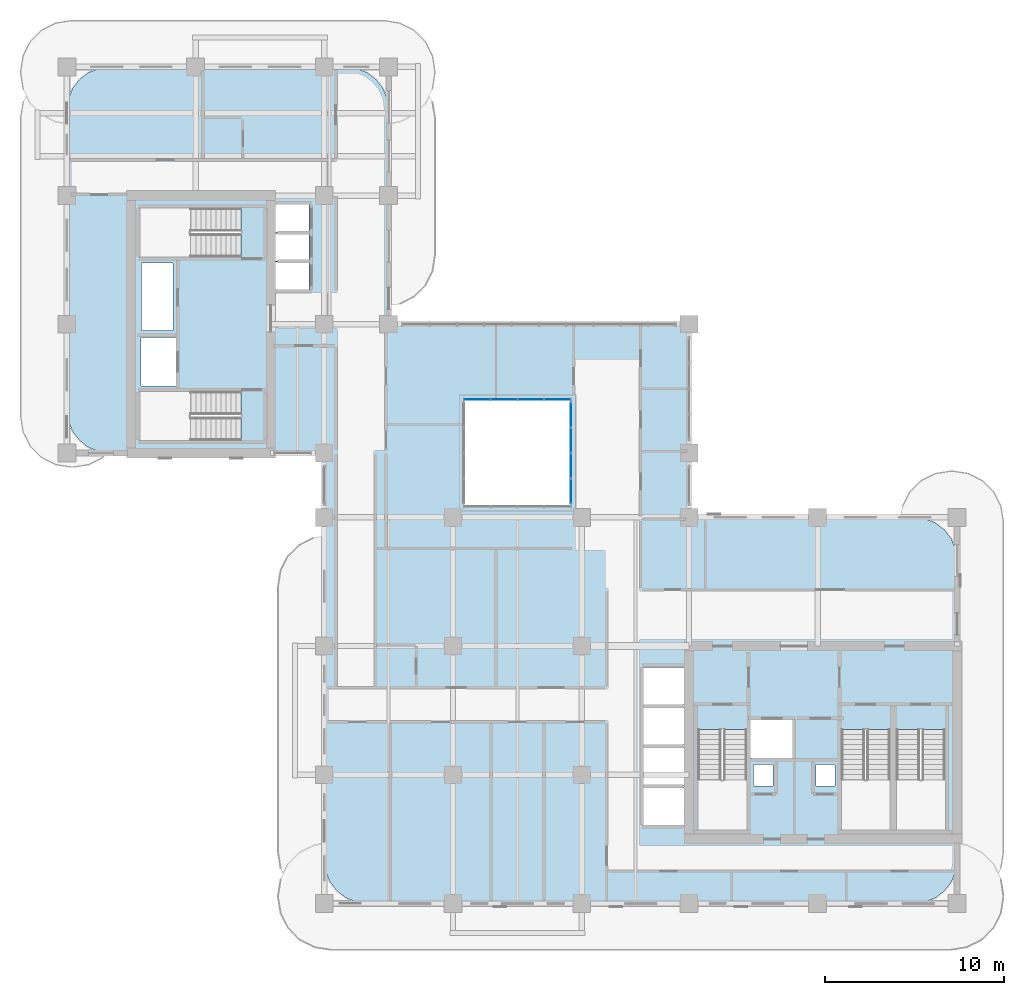
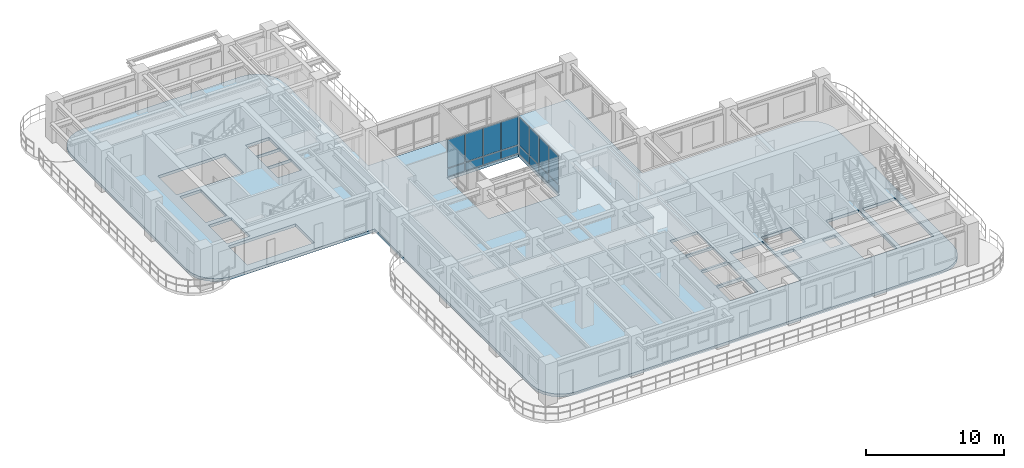
# One storey, part 8 of 20: 16 plates, 1 slab, 2 elements without a shape of their own.
"""IFC4 building model written with IfcOpenShell, lengths in metres."""

from ifc_helpers import new_model, si_unit, derived_unit, direction, frame, origin, origin_2d, place, context, subcontext, project, spatial, polyline, rectangle, outline, extrude, source, transform, mapped, material, layer, layer_set, type_object, element, aggregate, save


model = new_model("IFC4")

# Units and contexts
model_context = context("Model", 3, precision=1e-05, world=origin(), true_north=direction((0.0, 1.0)))
body_context = subcontext(model_context, "Body", "Model", "MODEL_VIEW")
ifc_project = project(units=[si_unit("LENGTHUNIT", "METRE"), si_unit("AREAUNIT", "SQUARE_METRE"), si_unit("VOLUMEUNIT", "CUBIC_METRE"), si_unit("PLANEANGLEUNIT", "RADIAN"), si_unit("MASSUNIT", "GRAM", prefix="KILO"), si_unit("THERMODYNAMICTEMPERATUREUNIT", "KELVIN"), si_unit("POWERUNIT", "WATT"), derived_unit("THERMALTRANSMITTANCEUNIT", [(si_unit("POWERUNIT", "WATT"), 1), (si_unit("AREAUNIT", "SQUARE_METRE"), -1), (si_unit("THERMODYNAMICTEMPERATUREUNIT", "KELVIN"), -1)])], contexts=[model_context])

# Site, building, storey
site_placement = place(None, origin())
site = spatial("IfcSite", under=ifc_project, at=site_placement, CompositionType="ELEMENT")
building_placement = place(site_placement, origin())
building = spatial("IfcBuilding", under=site, at=building_placement, Name="Zahravan Archway Hotel and Residences", CompositionType="ELEMENT")
storey_placement = place(building_placement, frame((0.0, 0.0, 137.699951171875)))
storey = spatial("IfcBuildingStorey", under=building, at=storey_placement, Name="L34", CompositionType="ELEMENT", Elevation=137.699951171875)

# Slab
ifc_material_1 = material(Name="Concrete C45/55", Category="concrete")
ifc_layer_1 = layer(ifc_material_1, 0.25, Name="Concrete C45/55", Category="concrete")
ifc_layer_set_1 = layer_set([ifc_layer_1], Name="Concrete C45/55")
slab_type = type_object("IfcSlabType", Name="SLB-FLR-250", PredefinedType="FLOOR", material=ifc_layer_set_1)
slab_placement = place(storey_placement, frame((0.0, 0.0, -0.25)))
element("IfcSlab", 1, at=slab_placement, inside=storey, type_object=slab_type, Name="L34 Floor Slab LB", PredefinedType="FLOOR", context=body_context, shape_type="SweptSolid", body=[
    extrude(outline(polyline([(34.800048828125, 21.60009765625), (34.800048828125, 32.39990234375), (18.0, 32.39990234375), (18.0, 44.39990234375), (17.918212890625, 45.021240234375), (17.678466796875, 45.60009765625), (17.297119140625, 46.09716796875), (16.800048828125, 46.478515625), (16.22119140625, 46.71826171875), (15.60009765625, 46.800048828125), (2.39990234375, 46.800048828125), (1.77880859375, 46.71826171875), (1.199951171875, 46.478515625), (0.702880859375, 46.09716796875), (0.321533203125, 45.60009765625), (0.081787109375, 45.021240234375), (0.0, 44.39990234375), (0.0, 27.60009765625), (0.081787109375, 26.978759765625), (0.321533203125, 26.39990234375), (0.702880859375, 25.90283203125), (1.199951171875, 25.521484375), (1.77880859375, 25.28173828125), (2.39990234375, 25.199951171875), (14.39990234375, 25.199951171875), (14.39990234375, 19.199951171875), (14.39990234375, 19.10009765625), (14.39990234375, 2.39990234375), (14.481689453125, 1.77880859375), (14.721435546875, 1.199951171875), (15.102783203125, 0.702880859375), (15.60009765625, 0.321533203125), (16.1787109375, 0.081787109375), (16.800048828125, 0.0), (47.39990234375, 0.0), (48.021240234375, 0.081787109375), (48.60009765625, 0.321533203125), (49.09716796875, 0.702880859375), (49.478515625, 1.199951171875), (49.71826171875, 1.77880859375), (49.800048828125, 2.39990234375), (49.800048828125, 19.199951171875), (49.71826171875, 19.8212890625), (49.478515625, 20.39990234375), (49.09716796875, 20.897216796875), (48.60009765625, 21.278564453125), (48.021240234375, 21.518310546875), (47.39990234375, 21.60009765625), (34.800048828125, 21.60009765625)]), holes=[polyline([(35.300048828125, 9.72998046875), (35.300048828125, 4.10009765625), (38.0400390625, 4.10009765625), (38.0400390625, 9.72998046875), (35.300048828125, 9.72998046875)]), polyline([(43.320068359375, 9.72998046875), (43.320068359375, 4.10009765625), (46.06005859375, 4.10009765625), (46.06005859375, 9.72998046875), (43.320068359375, 9.72998046875)]), polyline([(46.39990234375, 9.72998046875), (46.39990234375, 4.10009765625), (49.139892578125, 4.10009765625), (49.139892578125, 9.72998046875), (46.39990234375, 9.72998046875)]), polyline([(9.72998046875, 28.639892578125), (4.10009765625, 28.639892578125), (4.10009765625, 25.89990234375), (9.72998046875, 25.89990234375), (9.72998046875, 28.639892578125)]), polyline([(9.72998046875, 38.89990234375), (4.10009765625, 38.89990234375), (4.10009765625, 36.159912109375), (9.72998046875, 36.159912109375), (9.72998046875, 38.89990234375)]), polyline([(38.179931640625, 8.14990234375), (40.699951171875, 8.14990234375), (40.699951171875, 10.25), (38.179931640625, 10.25), (38.179931640625, 8.14990234375)]), polyline([(4.14990234375, 28.949951171875), (6.10009765625, 28.949951171875), (6.10009765625, 31.64990234375), (4.14990234375, 31.64990234375), (4.14990234375, 28.949951171875)]), polyline([(11.550048828125, 34.35009765625), (13.550048828125, 34.35009765625), (13.550048828125, 35.889892578125), (11.550048828125, 35.889892578125), (11.550048828125, 34.35009765625)]), polyline([(11.550048828125, 35.949951171875), (13.550048828125, 35.949951171875), (13.550048828125, 37.489990234375), (11.550048828125, 37.489990234375), (11.550048828125, 35.949951171875)]), polyline([(11.550048828125, 37.550048828125), (13.550048828125, 37.550048828125), (13.550048828125, 39.090087890625), (11.550048828125, 39.090087890625), (11.550048828125, 37.550048828125)]), polyline([(32.25, 4.39990234375), (34.550048828125, 4.39990234375), (34.550048828125, 6.47998046875), (32.25, 6.47998046875), (32.25, 4.39990234375)]), polyline([(32.25, 6.639892578125), (34.550048828125, 6.639892578125), (34.550048828125, 8.719970703125), (32.25, 8.719970703125), (32.25, 6.639892578125)]), polyline([(32.25, 8.8798828125), (34.550048828125, 8.8798828125), (34.550048828125, 10.9599609375), (32.25, 10.9599609375), (32.25, 8.8798828125)]), polyline([(32.25, 11.1201171875), (34.550048828125, 11.1201171875), (34.550048828125, 13.199951171875), (32.25, 13.199951171875), (32.25, 11.1201171875)]), polyline([(22.199951171875, 22.199951171875), (28.199951171875, 22.199951171875), (28.199951171875, 28.199951171875), (22.199951171875, 28.199951171875), (22.199951171875, 22.199951171875)]), polyline([(38.419921875, 6.56005859375), (39.5, 6.56005859375), (39.5, 7.780029296875), (38.419921875, 7.780029296875), (38.419921875, 6.56005859375)]), polyline([(41.89990234375, 6.56005859375), (42.9599609375, 6.56005859375), (42.9599609375, 7.780029296875), (41.89990234375, 7.780029296875), (41.89990234375, 6.56005859375)]), polyline([(4.179931640625, 32.050048828125), (5.93994140625, 32.050048828125), (5.93994140625, 35.840087890625), (4.179931640625, 35.840087890625), (4.179931640625, 32.050048828125)])]), origin(), (0.0, 0.0, 1.0), 0.25),
])

# Curtain wall, plates
ifc_material_2 = material(Name="Bronze-Anodized Unitised Aluminium & Low-E Glass", Category="aluminium")
ifc_layer_2 = layer(ifc_material_2, 0.179931640625, Name="Bronze-Anodized Unitised Aluminium & Low-E Glass", Category="aluminium")
ifc_layer_set_2 = layer_set([ifc_layer_2], Name="Bronze-Anodized Unitised Aluminium & Low-E Glass")
curtain_wall_type = type_object("IfcCurtainWallType", Name="CW-ATR-GLAZ", PredefinedType="NOTDEFINED", material=ifc_layer_set_2)
curtain_wall_1_placement = place(storey_placement, origin())
curtain_wall_1 = element("IfcCurtainWall", 2, at=curtain_wall_1_placement, inside=storey, type_object=curtain_wall_type, Name="L34 Curtain Wall CW-ATR-L34-N-1", PredefinedType="NOTDEFINED")
ifc_material_3 = material(Name="Insulated Terracotta Spandrel Panel", Category="masonry")
ifc_layer_3 = layer(ifc_material_3, 0.0400390625, Name="Insulated Terracotta Spandrel Panel", Category="masonry")
ifc_layer_set_3 = layer_set([ifc_layer_3], Name="Insulated Terracotta Spandrel Panel")
plate_type_1 = type_object("IfcPlateType", Name="CWP-SPN-40", PredefinedType="SHEET", material=ifc_layer_set_3)
shared_shape_1 = source(origin(), body_context, "Body", "SweptSolid", [
    extrude(rectangle(XDim=1.419921875, YDim=0.0400390625, at=origin_2d()), origin(), (0.0, 0.0, 1.0), 0.68798828125),
])
plate_1_placement = place(storey_placement, frame((22.949951171875, 28.199951171875, 0.10009765625), z_axis=(0.0, 0.0, 1.0), x_axis=(1.0, 0.0, 0.0)))
plate_1 = element("IfcPlate", 3, at=plate_1_placement, type_object=plate_type_1, Name="CW-ATR-L34-N-1 Spandrel Panel 0", PredefinedType="SHEET", context=body_context, shape_type="MappedRepresentation", body=[
    mapped(shared_shape_1, transform((0.0, 0.0, 0.0), scale=1.0)),
])
plate_2_placement = place(storey_placement, frame((24.449951171875, 28.199951171875, 0.10009765625), z_axis=(0.0, 0.0, 1.0), x_axis=(1.0, 0.0, 0.0)))
plate_2 = element("IfcPlate", 4, at=plate_2_placement, type_object=plate_type_1, Name="CW-ATR-L34-N-1 Spandrel Panel 1", PredefinedType="SHEET", context=body_context, shape_type="MappedRepresentation", body=[
    mapped(shared_shape_1, transform((0.0, 0.0, 0.0), scale=1.0)),
])
plate_3_placement = place(storey_placement, frame((25.949951171875, 28.199951171875, 0.10009765625), z_axis=(0.0, 0.0, 1.0), x_axis=(1.0, 0.0, 0.0)))
plate_3 = element("IfcPlate", 5, at=plate_3_placement, type_object=plate_type_1, Name="CW-ATR-L34-N-1 Spandrel Panel 2", PredefinedType="SHEET", context=body_context, shape_type="MappedRepresentation", body=[
    mapped(shared_shape_1, transform((0.0, 0.0, 0.0), scale=1.0)),
])
plate_4_placement = place(storey_placement, frame((27.449951171875, 28.199951171875, 0.10009765625), z_axis=(0.0, 0.0, 1.0), x_axis=(1.0, 0.0, 0.0)))
plate_4 = element("IfcPlate", 6, at=plate_4_placement, type_object=plate_type_1, Name="CW-ATR-L34-N-1 Spandrel Panel 3", PredefinedType="SHEET", context=body_context, shape_type="MappedRepresentation", body=[
    mapped(shared_shape_1, transform((0.0, 0.0, 0.0), scale=1.0)),
])
ifc_material_4 = material(Name="Double-Silver Low-E Insulated Vision Glass", Category="glass")
ifc_layer_4 = layer(ifc_material_4, 0.028076171875, Name="Double-Silver Low-E Insulated Vision Glass", Category="glass")
ifc_layer_set_4 = layer_set([ifc_layer_4], Name="Double-Silver Low-E Insulated Vision Glass")
plate_type_2 = type_object("IfcPlateType", Name="CWP-GLZ-28", PredefinedType="CURTAIN_PANEL", material=ifc_layer_set_4)
shared_shape_2 = source(origin(), body_context, "Body", "SweptSolid", [
    extrude(rectangle(XDim=1.419921875, YDim=0.028076171875, at=origin_2d()), origin(), (0.0, 0.0, 1.0), 2.48193359375),
])
plate_5_placement = place(storey_placement, frame((22.949951171875, 28.199951171875, 0.8681640625), z_axis=(0.0, 0.0, 1.0), x_axis=(1.0, 0.0, 0.0)))
plate_5 = element("IfcPlate", 7, at=plate_5_placement, type_object=plate_type_2, Name="CW-ATR-L34-N-1 Low-E Vision Panel 0", PredefinedType="CURTAIN_PANEL", context=body_context, shape_type="MappedRepresentation", body=[
    mapped(shared_shape_2, transform((0.0, 0.0, 0.0), scale=1.0)),
])
plate_6_placement = place(storey_placement, frame((24.449951171875, 28.199951171875, 0.8681640625), z_axis=(0.0, 0.0, 1.0), x_axis=(1.0, 0.0, 0.0)))
plate_6 = element("IfcPlate", 8, at=plate_6_placement, type_object=plate_type_2, Name="CW-ATR-L34-N-1 Low-E Vision Panel 1", PredefinedType="CURTAIN_PANEL", context=body_context, shape_type="MappedRepresentation", body=[
    mapped(shared_shape_2, transform((0.0, 0.0, 0.0), scale=1.0)),
])
plate_7_placement = place(storey_placement, frame((25.949951171875, 28.199951171875, 0.8681640625), z_axis=(0.0, 0.0, 1.0), x_axis=(1.0, 0.0, 0.0)))
plate_7 = element("IfcPlate", 9, at=plate_7_placement, type_object=plate_type_2, Name="CW-ATR-L34-N-1 Low-E Vision Panel 2", PredefinedType="CURTAIN_PANEL", context=body_context, shape_type="MappedRepresentation", body=[
    mapped(shared_shape_2, transform((0.0, 0.0, 0.0), scale=1.0)),
])
plate_8_placement = place(storey_placement, frame((27.449951171875, 28.199951171875, 0.8681640625), z_axis=(0.0, 0.0, 1.0), x_axis=(1.0, 0.0, 0.0)))
plate_8 = element("IfcPlate", 10, at=plate_8_placement, type_object=plate_type_2, Name="CW-ATR-L34-N-1 Low-E Vision Panel 3", PredefinedType="CURTAIN_PANEL", context=body_context, shape_type="MappedRepresentation", body=[
    mapped(shared_shape_2, transform((0.0, 0.0, 0.0), scale=1.0)),
])
aggregate(curtain_wall_1, [plate_1, plate_5, plate_2, plate_6, plate_3, plate_7, plate_4, plate_8])

curtain_wall_2_placement = place(storey_placement, origin())
curtain_wall_2 = element("IfcCurtainWall", 11, at=curtain_wall_2_placement, inside=storey, type_object=curtain_wall_type, Name="L34 Curtain Wall CW-ATR-L34-E-1", PredefinedType="NOTDEFINED")
shared_shape_3 = source(origin(), body_context, "Body", "SweptSolid", [
    extrude(rectangle(XDim=1.344970703125, YDim=0.0400390625, at=origin_2d()), origin(), (0.0, 0.0, 1.0), 0.68798828125),
])
plate_9_placement = place(storey_placement, frame((28.199951171875, 23.0625, 0.10009765625), z_axis=(0.0, 0.0, 1.0), x_axis=(0.0, 1.0, 0.0)))
plate_9 = element("IfcPlate", 12, at=plate_9_placement, type_object=plate_type_1, Name="CW-ATR-L34-E-1 Spandrel Panel 0", PredefinedType="SHEET", context=body_context, shape_type="MappedRepresentation", body=[
    mapped(shared_shape_3, transform((0.0, 0.0, 0.0), scale=1.0)),
])
plate_10_placement = place(storey_placement, frame((28.199951171875, 24.487548828125, 0.10009765625), z_axis=(0.0, 0.0, 1.0), x_axis=(0.0, 1.0, 0.0)))
plate_10 = element("IfcPlate", 13, at=plate_10_placement, type_object=plate_type_1, Name="CW-ATR-L34-E-1 Spandrel Panel 1", PredefinedType="SHEET", context=body_context, shape_type="MappedRepresentation", body=[
    mapped(shared_shape_3, transform((0.0, 0.0, 0.0), scale=1.0)),
])
plate_11_placement = place(storey_placement, frame((28.199951171875, 25.91259765625, 0.10009765625), z_axis=(0.0, 0.0, 1.0), x_axis=(0.0, 1.0, 0.0)))
plate_11 = element("IfcPlate", 14, at=plate_11_placement, type_object=plate_type_1, Name="CW-ATR-L34-E-1 Spandrel Panel 2", PredefinedType="SHEET", context=body_context, shape_type="MappedRepresentation", body=[
    mapped(shared_shape_3, transform((0.0, 0.0, 0.0), scale=1.0)),
])
plate_12_placement = place(storey_placement, frame((28.199951171875, 27.33740234375, 0.10009765625), z_axis=(0.0, 0.0, 1.0), x_axis=(0.0, 1.0, 0.0)))
plate_12 = element("IfcPlate", 15, at=plate_12_placement, type_object=plate_type_1, Name="CW-ATR-L34-E-1 Spandrel Panel 3", PredefinedType="SHEET", context=body_context, shape_type="MappedRepresentation", body=[
    mapped(shared_shape_3, transform((0.0, 0.0, 0.0), scale=1.0)),
])
shared_shape_4 = source(origin(), body_context, "Body", "SweptSolid", [
    extrude(rectangle(XDim=1.344970703125, YDim=0.028076171875, at=origin_2d()), origin(), (0.0, 0.0, 1.0), 2.48193359375),
])
plate_13_placement = place(storey_placement, frame((28.199951171875, 23.0625, 0.8681640625), z_axis=(0.0, 0.0, 1.0), x_axis=(0.0, 1.0, 0.0)))
plate_13 = element("IfcPlate", 16, at=plate_13_placement, type_object=plate_type_2, Name="CW-ATR-L34-E-1 Low-E Vision Panel 0", PredefinedType="CURTAIN_PANEL", context=body_context, shape_type="MappedRepresentation", body=[
    mapped(shared_shape_4, transform((0.0, 0.0, 0.0), scale=1.0)),
])
plate_14_placement = place(storey_placement, frame((28.199951171875, 24.487548828125, 0.8681640625), z_axis=(0.0, 0.0, 1.0), x_axis=(0.0, 1.0, 0.0)))
plate_14 = element("IfcPlate", 17, at=plate_14_placement, type_object=plate_type_2, Name="CW-ATR-L34-E-1 Low-E Vision Panel 1", PredefinedType="CURTAIN_PANEL", context=body_context, shape_type="MappedRepresentation", body=[
    mapped(shared_shape_4, transform((0.0, 0.0, 0.0), scale=1.0)),
])
plate_15_placement = place(storey_placement, frame((28.199951171875, 25.91259765625, 0.8681640625), z_axis=(0.0, 0.0, 1.0), x_axis=(0.0, 1.0, 0.0)))
plate_15 = element("IfcPlate", 18, at=plate_15_placement, type_object=plate_type_2, Name="CW-ATR-L34-E-1 Low-E Vision Panel 2", PredefinedType="CURTAIN_PANEL", context=body_context, shape_type="MappedRepresentation", body=[
    mapped(shared_shape_4, transform((0.0, 0.0, 0.0), scale=1.0)),
])
plate_16_placement = place(storey_placement, frame((28.199951171875, 27.33740234375, 0.8681640625), z_axis=(0.0, 0.0, 1.0), x_axis=(0.0, 1.0, 0.0)))
plate_16 = element("IfcPlate", 19, at=plate_16_placement, type_object=plate_type_2, Name="CW-ATR-L34-E-1 Low-E Vision Panel 3", PredefinedType="CURTAIN_PANEL", context=body_context, shape_type="MappedRepresentation", body=[
    mapped(shared_shape_4, transform((0.0, 0.0, 0.0), scale=1.0)),
])
aggregate(curtain_wall_2, [plate_9, plate_13, plate_10, plate_14, plate_11, plate_15, plate_12, plate_16])

save(model, "model.ifc")
